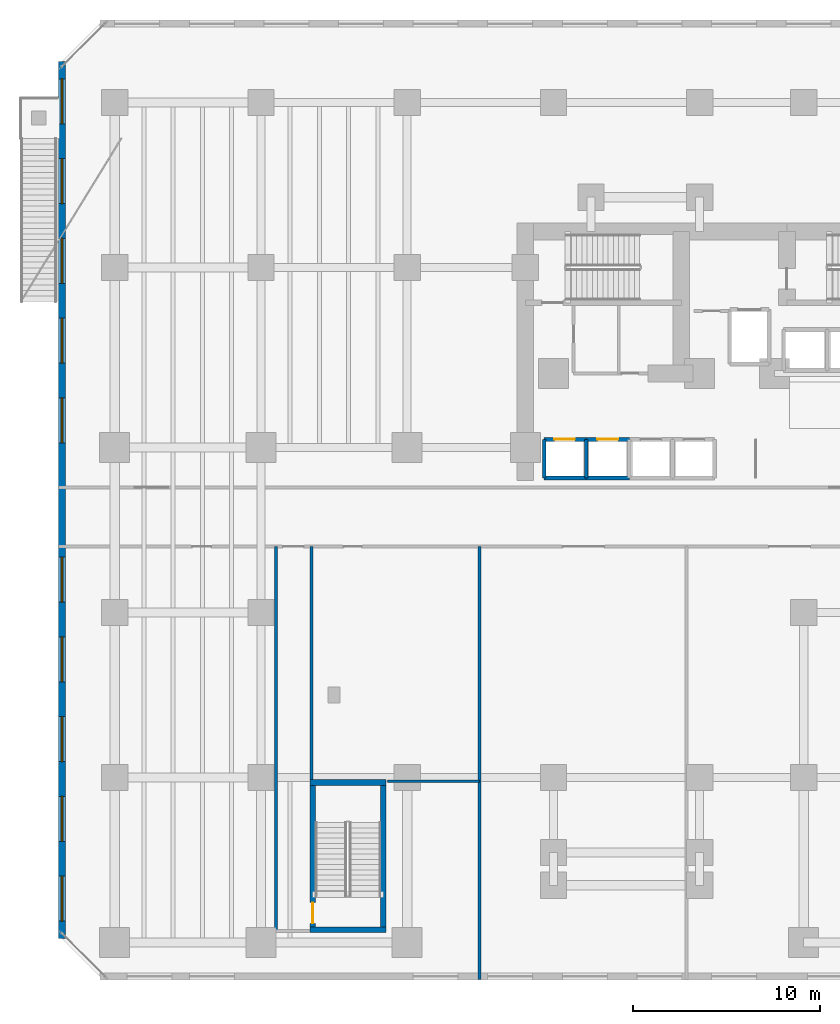
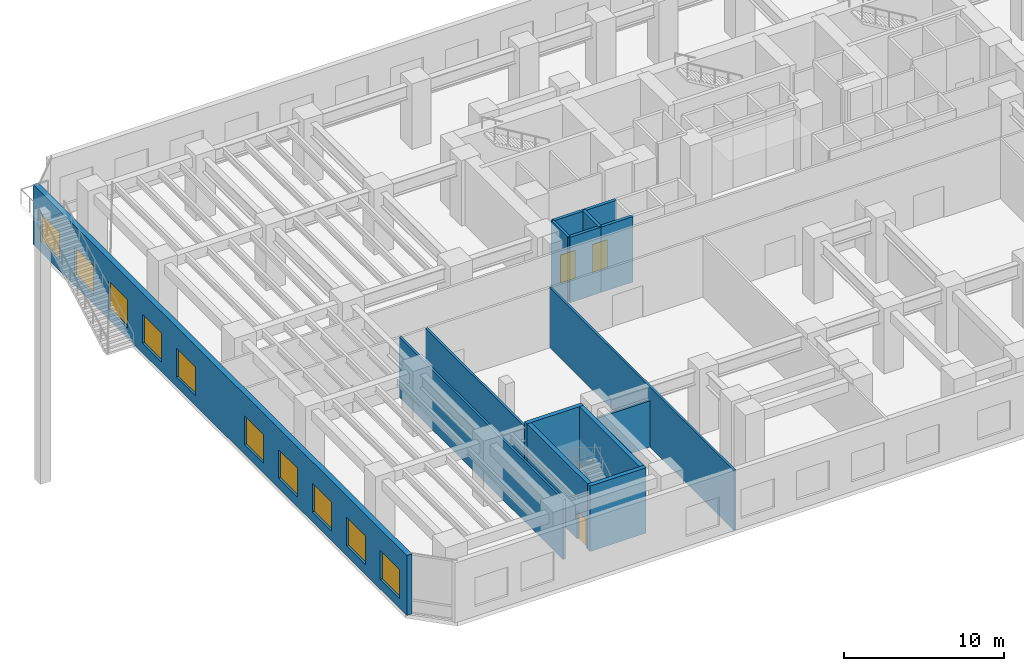
# One storey, part 10 of 20: 15 walls, 10 windows, 3 doors, 13 openings.
"""IFC4 building model written with IfcOpenShell, lengths in metres."""

from ifc_helpers import new_model, si_unit, direction, frame, frame_2d, origin, place, context, subcontext, project, spatial, rectangle, extrude, material, layer, layer_set, type_object, element, fill, save


model = new_model("IFC4")

# Units and contexts
model_context = context("Model", 3, precision=1e-05, world=origin(), true_north=direction((0.0, 1.0)))
body_context = subcontext(model_context, "Body", "Model", "MODEL_VIEW")
ifc_project = project(units=[si_unit("LENGTHUNIT", "METRE"), si_unit("AREAUNIT", "SQUARE_METRE"), si_unit("VOLUMEUNIT", "CUBIC_METRE"), si_unit("PLANEANGLEUNIT", "RADIAN"), si_unit("MASSUNIT", "GRAM", prefix="KILO")], contexts=[model_context])

# Site, building, storey
site_placement = place(None, origin())
site = spatial("IfcSite", under=ifc_project, at=site_placement, CompositionType="ELEMENT")
building_placement = place(site_placement, origin())
building = spatial("IfcBuilding", under=site, at=building_placement, Name="Kestravale Grand Hotel", CompositionType="ELEMENT")
storey_placement = place(building_placement, frame((0.0, 0.0, 15.800048828125)))
storey = spatial("IfcBuildingStorey", under=building, at=storey_placement, Name="L03", CompositionType="ELEMENT", Elevation=15.800048828125)

# Wall, openings, windows
ifc_material_1 = material(Name="Precast concrete f'c 45 MPa", Category="concrete")
ifc_layer_1 = layer(ifc_material_1, 0.3798828125)
ifc_layer_set_1 = layer_set([ifc_layer_1], Name="EW-POD-380")
wall_type_1 = type_object("IfcWallType", Name="EW-POD-380", PredefinedType="SOLIDWALL", material=ifc_layer_set_1)
wall_1_placement = place(storey_placement, frame((-2.81005859375, 49.389892578125, 0.0), z_axis=(0.0, 0.0, 1.0), x_axis=(0.0, -1.0, 0.0)))
wall_1 = element("IfcWall", 1, at=wall_1_placement, inside=storey, type_object=wall_type_1, Name="L03 fluted precast facade wall 7", PredefinedType="SOLIDWALL", context=body_context, shape_type="SweptSolid", body=[
    extrude(rectangle(XDim=46.77978515625, YDim=0.3798828125, at=frame_2d((23.389892578125, 0.0))), origin(), (0.0, 0.0, 1.0), 4.579833984375),
])
opening_1_placement = place(wall_1_placement, frame((0.926513671875, 0.0, 0.75)))
opening_1 = element("IfcOpeningElement", 2, at=opening_1_placement, cuts=wall_1, Name="Opening W-POD-2400", PredefinedType="OPENING", context=body_context, shape_type="SweptSolid", body=[
    extrude(rectangle(XDim=2.39990234375, YDim=2.199951171875, at=frame_2d((1.199951171875, 1.10009765625))), frame((0.0, 0.199951171875, 0.0), z_axis=(0.0, -1.0, 0.0), x_axis=(1.0, 0.0, 0.0)), (0.0, 0.0, 1.0), 0.39990234375),
])
opening_2_placement = place(wall_1_placement, frame((5.17919921875, 0.0, 0.75)))
opening_2 = element("IfcOpeningElement", 3, at=opening_2_placement, cuts=wall_1, Name="Opening W-POD-2400", PredefinedType="OPENING", context=body_context, shape_type="SweptSolid", body=[
    extrude(rectangle(XDim=2.39990234375, YDim=2.199951171875, at=frame_2d((1.199951171875, 1.10009765625))), frame((0.0, 0.199951171875, 0.0), z_axis=(0.0, -1.0, 0.0), x_axis=(1.0, 0.0, 0.0)), (0.0, 0.0, 1.0), 0.39990234375),
])
opening_3_placement = place(wall_1_placement, frame((9.431884765625, 0.0, 0.75)))
opening_3 = element("IfcOpeningElement", 4, at=opening_3_placement, cuts=wall_1, Name="Opening W-POD-2400", PredefinedType="OPENING", context=body_context, shape_type="SweptSolid", body=[
    extrude(rectangle(XDim=2.39990234375, YDim=2.199951171875, at=frame_2d((1.199951171875, 1.10009765625))), frame((0.0, 0.199951171875, 0.0), z_axis=(0.0, -1.0, 0.0), x_axis=(1.0, 0.0, 0.0)), (0.0, 0.0, 1.0), 0.39990234375),
])
opening_4_placement = place(wall_1_placement, frame((13.6845703125, 0.0, 0.75)))
opening_4 = element("IfcOpeningElement", 5, at=opening_4_placement, cuts=wall_1, Name="Opening W-POD-2400", PredefinedType="OPENING", context=body_context, shape_type="SweptSolid", body=[
    extrude(rectangle(XDim=2.39990234375, YDim=2.199951171875, at=frame_2d((1.199951171875, 1.10009765625))), frame((0.0, 0.199951171875, 0.0), z_axis=(0.0, -1.0, 0.0), x_axis=(1.0, 0.0, 0.0)), (0.0, 0.0, 1.0), 0.39990234375),
])
opening_5_placement = place(wall_1_placement, frame((17.937255859375, 0.0, 0.75)))
opening_5 = element("IfcOpeningElement", 6, at=opening_5_placement, cuts=wall_1, Name="Opening W-POD-2400", PredefinedType="OPENING", context=body_context, shape_type="SweptSolid", body=[
    extrude(rectangle(XDim=2.39990234375, YDim=2.199951171875, at=frame_2d((1.199951171875, 1.10009765625))), frame((0.0, 0.199951171875, 0.0), z_axis=(0.0, -1.0, 0.0), x_axis=(1.0, 0.0, 0.0)), (0.0, 0.0, 1.0), 0.39990234375),
])
opening_6_placement = place(wall_1_placement, frame((26.442626953125, 0.0, 0.75)))
opening_6 = element("IfcOpeningElement", 7, at=opening_6_placement, cuts=wall_1, Name="Opening W-POD-2400", PredefinedType="OPENING", context=body_context, shape_type="SweptSolid", body=[
    extrude(rectangle(XDim=2.39990234375, YDim=2.199951171875, at=frame_2d((1.199951171875, 1.10009765625))), frame((0.0, 0.199951171875, 0.0), z_axis=(0.0, -1.0, 0.0), x_axis=(1.0, 0.0, 0.0)), (0.0, 0.0, 1.0), 0.39990234375),
])
opening_7_placement = place(wall_1_placement, frame((30.695556640625, 0.0, 0.75)))
opening_7 = element("IfcOpeningElement", 8, at=opening_7_placement, cuts=wall_1, Name="Opening W-POD-2400", PredefinedType="OPENING", context=body_context, shape_type="SweptSolid", body=[
    extrude(rectangle(XDim=2.39990234375, YDim=2.199951171875, at=frame_2d((1.199951171875, 1.10009765625))), frame((0.0, 0.199951171875, 0.0), z_axis=(0.0, -1.0, 0.0), x_axis=(1.0, 0.0, 0.0)), (0.0, 0.0, 1.0), 0.39990234375),
])
opening_8_placement = place(wall_1_placement, frame((34.9482421875, 0.0, 0.75)))
opening_8 = element("IfcOpeningElement", 9, at=opening_8_placement, cuts=wall_1, Name="Opening W-POD-2400", PredefinedType="OPENING", context=body_context, shape_type="SweptSolid", body=[
    extrude(rectangle(XDim=2.39990234375, YDim=2.199951171875, at=frame_2d((1.199951171875, 1.10009765625))), frame((0.0, 0.199951171875, 0.0), z_axis=(0.0, -1.0, 0.0), x_axis=(1.0, 0.0, 0.0)), (0.0, 0.0, 1.0), 0.39990234375),
])
opening_9_placement = place(wall_1_placement, frame((39.200927734375, 0.0, 0.75)))
opening_9 = element("IfcOpeningElement", 10, at=opening_9_placement, cuts=wall_1, Name="Opening W-POD-2400", PredefinedType="OPENING", context=body_context, shape_type="SweptSolid", body=[
    extrude(rectangle(XDim=2.39990234375, YDim=2.199951171875, at=frame_2d((1.199951171875, 1.10009765625))), frame((0.0, 0.199951171875, 0.0), z_axis=(0.0, -1.0, 0.0), x_axis=(1.0, 0.0, 0.0)), (0.0, 0.0, 1.0), 0.39990234375),
])
opening_10_placement = place(wall_1_placement, frame((43.45361328125, 0.0, 0.75)))
opening_10 = element("IfcOpeningElement", 11, at=opening_10_placement, cuts=wall_1, Name="Opening W-POD-2400", PredefinedType="OPENING", context=body_context, shape_type="SweptSolid", body=[
    extrude(rectangle(XDim=2.39990234375, YDim=2.199951171875, at=frame_2d((1.199951171875, 1.10009765625))), frame((0.0, 0.199951171875, 0.0), z_axis=(0.0, -1.0, 0.0), x_axis=(1.0, 0.0, 0.0)), (0.0, 0.0, 1.0), 0.39990234375),
])
ifc_material_2 = material(Name="Insulated low-E double glazing in aluminium frame", Category="aluminium")
window_type = type_object("IfcWindowType", Name="W-POD-2400", PartitioningType="DOUBLE_PANEL_VERTICAL", PredefinedType="WINDOW", material=ifc_material_2)
window_1_placement = place(opening_1_placement, origin())
window_1 = element("IfcWindow", 12, at=window_1_placement, inside=storey, type_object=window_type, Name="L03 exterior window 7.1", OverallHeight=2.199951171875, OverallWidth=2.39990234375, PartitioningType="SINGLE_PANEL", PredefinedType="WINDOW", context=body_context, shape_type="SweptSolid", body=[
    extrude(rectangle(XDim=2.39990234375, YDim=2.199951171875, at=frame_2d((1.199951171875, 1.10009765625))), frame((0.0, 0.030029296875, 0.0), z_axis=(0.0, -1.0, 0.0), x_axis=(1.0, 0.0, 0.0)), (0.0, 0.0, 1.0), 0.06005859375),
])
fill(opening_1, window_1)
window_2_placement = place(opening_2_placement, origin())
window_2 = element("IfcWindow", 13, at=window_2_placement, inside=storey, type_object=window_type, Name="L03 exterior window 7.2", OverallHeight=2.199951171875, OverallWidth=2.39990234375, PartitioningType="SINGLE_PANEL", PredefinedType="WINDOW", context=body_context, shape_type="SweptSolid", body=[
    extrude(rectangle(XDim=2.39990234375, YDim=2.199951171875, at=frame_2d((1.199951171875, 1.10009765625))), frame((0.0, 0.030029296875, 0.0), z_axis=(0.0, -1.0, 0.0), x_axis=(1.0, 0.0, 0.0)), (0.0, 0.0, 1.0), 0.06005859375),
])
fill(opening_2, window_2)
window_3_placement = place(opening_3_placement, origin())
window_3 = element("IfcWindow", 14, at=window_3_placement, inside=storey, type_object=window_type, Name="L03 exterior window 7.3", OverallHeight=2.199951171875, OverallWidth=2.39990234375, PartitioningType="SINGLE_PANEL", PredefinedType="WINDOW", context=body_context, shape_type="SweptSolid", body=[
    extrude(rectangle(XDim=2.39990234375, YDim=2.199951171875, at=frame_2d((1.199951171875, 1.10009765625))), frame((0.0, 0.030029296875, 0.0), z_axis=(0.0, -1.0, 0.0), x_axis=(1.0, 0.0, 0.0)), (0.0, 0.0, 1.0), 0.06005859375),
])
fill(opening_3, window_3)
window_4_placement = place(opening_4_placement, origin())
window_4 = element("IfcWindow", 15, at=window_4_placement, inside=storey, type_object=window_type, Name="L03 exterior window 7.4", OverallHeight=2.199951171875, OverallWidth=2.39990234375, PartitioningType="SINGLE_PANEL", PredefinedType="WINDOW", context=body_context, shape_type="SweptSolid", body=[
    extrude(rectangle(XDim=2.39990234375, YDim=2.199951171875, at=frame_2d((1.199951171875, 1.10009765625))), frame((0.0, 0.030029296875, 0.0), z_axis=(0.0, -1.0, 0.0), x_axis=(1.0, 0.0, 0.0)), (0.0, 0.0, 1.0), 0.06005859375),
])
fill(opening_4, window_4)
window_5_placement = place(opening_5_placement, origin())
window_5 = element("IfcWindow", 16, at=window_5_placement, inside=storey, type_object=window_type, Name="L03 exterior window 7.5", OverallHeight=2.199951171875, OverallWidth=2.39990234375, PartitioningType="SINGLE_PANEL", PredefinedType="WINDOW", context=body_context, shape_type="SweptSolid", body=[
    extrude(rectangle(XDim=2.39990234375, YDim=2.199951171875, at=frame_2d((1.199951171875, 1.10009765625))), frame((0.0, 0.030029296875, 0.0), z_axis=(0.0, -1.0, 0.0), x_axis=(1.0, 0.0, 0.0)), (0.0, 0.0, 1.0), 0.06005859375),
])
fill(opening_5, window_5)
window_6_placement = place(opening_6_placement, origin())
window_6 = element("IfcWindow", 17, at=window_6_placement, inside=storey, type_object=window_type, Name="L03 exterior window 7.6", OverallHeight=2.199951171875, OverallWidth=2.39990234375, PartitioningType="SINGLE_PANEL", PredefinedType="WINDOW", context=body_context, shape_type="SweptSolid", body=[
    extrude(rectangle(XDim=2.39990234375, YDim=2.199951171875, at=frame_2d((1.199951171875, 1.10009765625))), frame((0.0, 0.030029296875, 0.0), z_axis=(0.0, -1.0, 0.0), x_axis=(1.0, 0.0, 0.0)), (0.0, 0.0, 1.0), 0.06005859375),
])
fill(opening_6, window_6)
window_7_placement = place(opening_7_placement, origin())
window_7 = element("IfcWindow", 18, at=window_7_placement, inside=storey, type_object=window_type, Name="L03 exterior window 7.7", OverallHeight=2.199951171875, OverallWidth=2.39990234375, PartitioningType="SINGLE_PANEL", PredefinedType="WINDOW", context=body_context, shape_type="SweptSolid", body=[
    extrude(rectangle(XDim=2.39990234375, YDim=2.199951171875, at=frame_2d((1.199951171875, 1.10009765625))), frame((0.0, 0.030029296875, 0.0), z_axis=(0.0, -1.0, 0.0), x_axis=(1.0, 0.0, 0.0)), (0.0, 0.0, 1.0), 0.06005859375),
])
fill(opening_7, window_7)
window_8_placement = place(opening_8_placement, origin())
window_8 = element("IfcWindow", 19, at=window_8_placement, inside=storey, type_object=window_type, Name="L03 exterior window 7.8", OverallHeight=2.199951171875, OverallWidth=2.39990234375, PartitioningType="SINGLE_PANEL", PredefinedType="WINDOW", context=body_context, shape_type="SweptSolid", body=[
    extrude(rectangle(XDim=2.39990234375, YDim=2.199951171875, at=frame_2d((1.199951171875, 1.10009765625))), frame((0.0, 0.030029296875, 0.0), z_axis=(0.0, -1.0, 0.0), x_axis=(1.0, 0.0, 0.0)), (0.0, 0.0, 1.0), 0.06005859375),
])
fill(opening_8, window_8)
window_9_placement = place(opening_9_placement, origin())
window_9 = element("IfcWindow", 20, at=window_9_placement, inside=storey, type_object=window_type, Name="L03 exterior window 7.9", OverallHeight=2.199951171875, OverallWidth=2.39990234375, PartitioningType="SINGLE_PANEL", PredefinedType="WINDOW", context=body_context, shape_type="SweptSolid", body=[
    extrude(rectangle(XDim=2.39990234375, YDim=2.199951171875, at=frame_2d((1.199951171875, 1.10009765625))), frame((0.0, 0.030029296875, 0.0), z_axis=(0.0, -1.0, 0.0), x_axis=(1.0, 0.0, 0.0)), (0.0, 0.0, 1.0), 0.06005859375),
])
fill(opening_9, window_9)
window_10_placement = place(opening_10_placement, origin())
window_10 = element("IfcWindow", 21, at=window_10_placement, inside=storey, type_object=window_type, Name="L03 exterior window 7.10", OverallHeight=2.199951171875, OverallWidth=2.39990234375, PartitioningType="SINGLE_PANEL", PredefinedType="WINDOW", context=body_context, shape_type="SweptSolid", body=[
    extrude(rectangle(XDim=2.39990234375, YDim=2.199951171875, at=frame_2d((1.199951171875, 1.10009765625))), frame((0.0, 0.030029296875, 0.0), z_axis=(0.0, -1.0, 0.0), x_axis=(1.0, 0.0, 0.0)), (0.0, 0.0, 1.0), 0.06005859375),
])
fill(opening_10, window_10)

# Wall, opening, door
ifc_material_3 = material(Name="Concrete f'c 45 MPa", Category="concrete")
ifc_layer_2 = layer(ifc_material_3, 0.300048828125)
ifc_layer_set_2 = layer_set([ifc_layer_2], Name="EW-STAIR-300")
wall_type_2 = type_object("IfcWallType", Name="EW-STAIR-300", PredefinedType="SHEAR", material=ifc_layer_set_2)
wall_2_placement = place(storey_placement, frame((10.56005859375, 3.070068359375, 0.0), z_axis=(0.0, 0.0, 1.0), x_axis=(0.0, 1.0, 0.0)))
wall_2 = element("IfcWall", 22, at=wall_2_placement, inside=storey, type_object=wall_type_2, Name="L03 stair enclosure shear wall ST4W", PredefinedType="SHEAR", context=body_context, shape_type="SweptSolid", body=[
    extrude(rectangle(XDim=7.85986328125, YDim=0.300048828125, at=frame_2d((3.929931640625, 0.0))), origin(), (0.0, 0.0, 1.0), 5.0),
])
opening_11_placement = place(wall_2_placement, frame((0.35009765625, 0.0, 0.0)))
opening_11 = element("IfcOpeningElement", 23, at=opening_11_placement, cuts=wall_2, Name="Opening D-ST-1100", PredefinedType="OPENING", context=body_context, shape_type="SweptSolid", body=[
    extrude(rectangle(XDim=1.10009765625, YDim=2.14990234375, at=frame_2d((0.550048828125, 1.074951171875))), frame((0.0, 0.159912109375, 0.0), z_axis=(0.0, -1.0, 0.0), x_axis=(1.0, 0.0, 0.0)), (0.0, 0.0, 1.0), 0.320068359375),
])
ifc_material_4 = material(Name="Galvanised 90-minute fire-rated steel stair door", Category="steel")
door_type_1 = type_object("IfcDoorType", Name="D-ST-1100", OperationType="NOTDEFINED", PredefinedType="DOOR", material=ifc_material_4)
door_1_placement = place(opening_11_placement, origin())
door_1 = element("IfcDoor", 24, at=door_1_placement, inside=storey, type_object=door_type_1, Name="L03 Stair ST-4 fire door", OperationType="SINGLE_SWING_LEFT", OverallHeight=2.14990234375, OverallWidth=1.10009765625, PredefinedType="DOOR", context=body_context, shape_type="SweptSolid", body=[
    extrude(rectangle(XDim=1.10009765625, YDim=2.14990234375, at=frame_2d((0.550048828125, 1.074951171875))), frame((0.0, 0.02490234375, 0.0), z_axis=(0.0, -1.0, 0.0), x_axis=(1.0, 0.0, 0.0)), (0.0, 0.0, 1.0), 0.050048828125),
])
fill(opening_11, door_1)

# Walls
wall_3_placement = place(storey_placement, frame((14.330078125, 3.070068359375, 0.0), z_axis=(0.0, 0.0, 1.0), x_axis=(0.0, 1.0, 0.0)))
element("IfcWall", 25, at=wall_3_placement, inside=storey, type_object=wall_type_2, Name="L03 stair enclosure shear wall ST4E", PredefinedType="SHEAR", context=body_context, shape_type="SweptSolid", body=[
    extrude(rectangle(XDim=7.85986328125, YDim=0.300048828125, at=frame_2d((3.929931640625, 0.0))), origin(), (0.0, 0.0, 1.0), 5.0),
])
for number, where, z_axis, x_axis, name in (
    (26, (10.409912109375, 10.929931640625, 0.0), (0.0, 0.0, 1.0), (1.0, 0.0, 0.0), "L03 stair enclosure shear wall ST4N"),
    (27, (10.409912109375, 3.070068359375, 0.0), (0.0, 0.0, 1.0), (1.0, 0.0, 0.0), "L03 stair enclosure shear wall ST4S"),
):
    element("IfcWall", number, at=place(storey_placement, frame(where, z_axis=z_axis, x_axis=x_axis)), inside=storey, type_object=wall_type_2, Name=name, PredefinedType="SHEAR", context=body_context, shape_type="SweptSolid", body=[
        extrude(rectangle(XDim=4.070068359375, YDim=0.300048828125, at=frame_2d((2.03515625, 0.0))), origin(), (0.0, 0.0, 1.0), 5.0),
    ])
ifc_material_5 = material(Name="Acoustic fire-rated gypsum board partition", Category="other")
ifc_layer_3 = layer(ifc_material_5, 0.159912109375)
ifc_layer_set_3 = layer_set([ifc_layer_3], Name="IW-CORR-160")
wall_type_3 = type_object("IfcWallType", Name="IW-CORR-160", PredefinedType="PARTITIONING", material=ifc_layer_set_3)
wall_4_placement = place(storey_placement, frame((8.60009765625, 3.0, 0.0), z_axis=(0.0, 0.0, 1.0), x_axis=(0.0, 1.0, 0.0)))
element("IfcWall", 28, at=wall_4_placement, inside=storey, type_object=wall_type_3, Name="W-L03-ST4C-W", PredefinedType="PARTITIONING", context=body_context, shape_type="SweptSolid", body=[
    extrude(rectangle(XDim=20.52001953125, YDim=0.159912109375, at=frame_2d((10.260009765625, 0.0))), origin(), (0.0, 0.0, 1.0), 4.579833984375),
])
wall_5_placement = place(storey_placement, frame((10.5, 10.949951171875, 0.0), z_axis=(0.0, 0.0, 1.0), x_axis=(0.0, 1.0, 0.0)))
element("IfcWall", 29, at=wall_5_placement, inside=storey, type_object=wall_type_3, Name="W-L03-ST4C-E", PredefinedType="PARTITIONING", context=body_context, shape_type="SweptSolid", body=[
    extrude(rectangle(XDim=12.570068359375, YDim=0.159912109375, at=frame_2d((6.28515625, 0.0))), origin(), (0.0, 0.0, 1.0), 4.579833984375),
])
ifc_material_6 = material(Name="Concrete f'c 45 MPa", Category="concrete")
ifc_layer_4 = layer(ifc_material_6, 0.199951171875)
ifc_layer_set_4 = layer_set([ifc_layer_4], Name="IW-SHAFT-200")
wall_type_4 = type_object("IfcWallType", Name="IW-SHAFT-200", PredefinedType="SHEAR", material=ifc_layer_set_4)
for number, where, z_axis, x_axis, name in (
    (30, (22.905029296875, 27.169921875, 0.0), (0.0, 0.0, 1.0), (0.0, 1.0, 0.0), "L03 PL-L1 west shaft wall"),
    (31, (25.14990234375, 27.169921875, 0.0), (0.0, 0.0, 1.0), (0.0, 1.0, 0.0), "L03 PL-L2 west shaft wall"),
):
    element("IfcWall", number, at=place(storey_placement, frame(where, z_axis=z_axis, x_axis=x_axis)), inside=storey, type_object=wall_type_4, Name=name, PredefinedType="SHEAR", context=body_context, shape_type="SweptSolid", body=[
        extrude(rectangle(XDim=2.06005859375, YDim=0.199951171875, at=frame_2d((1.030029296875, 0.0))), origin(), (0.0, 0.0, 1.0), 5.0),
    ])

# Wall, opening, door
ifc_material_7 = material(Name="Concrete f'c 45 MPa", Category="concrete")
ifc_layer_5 = layer(ifc_material_7, 0.219970703125)
ifc_layer_set_5 = layer_set([ifc_layer_5], Name="IW-SHAFT-220")
wall_type_5 = type_object("IfcWallType", Name="IW-SHAFT-220", PredefinedType="SHEAR", material=ifc_layer_set_5)
wall_6_placement = place(storey_placement, frame((22.905029296875, 29.22998046875, 0.0), z_axis=(0.0, 0.0, 1.0), x_axis=(1.0, 0.0, 0.0)))
wall_6 = element("IfcWall", 32, at=wall_6_placement, inside=storey, type_object=wall_type_5, Name="L03 PL-L1 north shaft wall", PredefinedType="SHEAR", context=body_context, shape_type="SweptSolid", body=[
    extrude(rectangle(XDim=2.244873046875, YDim=0.219970703125, at=frame_2d((1.12255859375, 0.0))), origin(), (0.0, 0.0, 1.0), 5.0),
])
opening_12_placement = place(wall_6_placement, frame((0.544921875, 0.0, 0.0)))
opening_12 = element("IfcOpeningElement", 33, at=opening_12_placement, cuts=wall_6, Name="Opening LD-PAX-1100", PredefinedType="OPENING", context=body_context, shape_type="SweptSolid", body=[
    extrude(rectangle(XDim=1.10009765625, YDim=2.14990234375, at=frame_2d((0.550048828125, 1.074951171875))), frame((0.0, 0.119873046875, 0.0), z_axis=(0.0, -1.0, 0.0), x_axis=(1.0, 0.0, 0.0)), (0.0, 0.0, 1.0), 0.239990234375),
])
ifc_material_8 = material(Name="Champagne-bronze center-opening sliding elevator landing door", Category="steel")
door_type_2 = type_object("IfcDoorType", Name="LD-PAX-1100", OperationType="NOTDEFINED", PredefinedType="DOOR", material=ifc_material_8)
door_2_placement = place(opening_12_placement, origin())
door_2 = element("IfcDoor", 34, at=door_2_placement, inside=storey, type_object=door_type_2, Name="L03 PL-L1 elevator landing sliding door", OperationType="DOUBLE_DOOR_SLIDING", OverallHeight=2.14990234375, OverallWidth=1.10009765625, PredefinedType="DOOR", context=body_context, shape_type="SweptSolid", body=[
    extrude(rectangle(XDim=1.10009765625, YDim=2.14990234375, at=frame_2d((0.550048828125, 1.074951171875))), frame((0.0, 0.02490234375, 0.0), z_axis=(0.0, -1.0, 0.0), x_axis=(1.0, 0.0, 0.0)), (0.0, 0.0, 1.0), 0.050048828125),
])
fill(opening_12, door_2)

# Wall
wall_7_placement = place(storey_placement, frame((22.905029296875, 27.169921875, 0.0), z_axis=(0.0, 0.0, 1.0), x_axis=(1.0, 0.0, 0.0)))
element("IfcWall", 35, at=wall_7_placement, inside=storey, type_object=wall_type_5, Name="L03 PL-L1 south shaft wall", PredefinedType="SHEAR", context=body_context, shape_type="SweptSolid", body=[
    extrude(rectangle(XDim=2.244873046875, YDim=0.219970703125, at=frame_2d((1.12255859375, 0.0))), origin(), (0.0, 0.0, 1.0), 5.0),
])

# Wall, opening, door
wall_8_placement = place(storey_placement, frame((25.14990234375, 29.22998046875, 0.0), z_axis=(0.0, 0.0, 1.0), x_axis=(1.0, 0.0, 0.0)))
wall_8 = element("IfcWall", 36, at=wall_8_placement, inside=storey, type_object=wall_type_5, Name="L03 PL-L2 north shaft wall", PredefinedType="SHEAR", context=body_context, shape_type="SweptSolid", body=[
    extrude(rectangle(XDim=2.300048828125, YDim=0.219970703125, at=frame_2d((1.14990234375, 0.0))), origin(), (0.0, 0.0, 1.0), 5.0),
])
opening_13_placement = place(wall_8_placement, frame((0.60009765625, 0.0, 0.0)))
opening_13 = element("IfcOpeningElement", 37, at=opening_13_placement, cuts=wall_8, Name="Opening LD-PAX-1100", PredefinedType="OPENING", context=body_context, shape_type="SweptSolid", body=[
    extrude(rectangle(XDim=1.10009765625, YDim=2.14990234375, at=frame_2d((0.550048828125, 1.074951171875))), frame((0.0, 0.119873046875, 0.0), z_axis=(0.0, -1.0, 0.0), x_axis=(1.0, 0.0, 0.0)), (0.0, 0.0, 1.0), 0.239990234375),
])
door_3_placement = place(opening_13_placement, origin())
door_3 = element("IfcDoor", 38, at=door_3_placement, inside=storey, type_object=door_type_2, Name="L03 PL-L2 elevator landing sliding door", OperationType="DOUBLE_DOOR_SLIDING", OverallHeight=2.14990234375, OverallWidth=1.10009765625, PredefinedType="DOOR", context=body_context, shape_type="SweptSolid", body=[
    extrude(rectangle(XDim=1.10009765625, YDim=2.14990234375, at=frame_2d((0.550048828125, 1.074951171875))), frame((0.0, 0.02490234375, 0.0), z_axis=(0.0, -1.0, 0.0), x_axis=(1.0, 0.0, 0.0)), (0.0, 0.0, 1.0), 0.050048828125),
])
fill(opening_13, door_3)

# Walls
wall_9_placement = place(storey_placement, frame((25.14990234375, 27.169921875, 0.0), z_axis=(0.0, 0.0, 1.0), x_axis=(1.0, 0.0, 0.0)))
element("IfcWall", 39, at=wall_9_placement, inside=storey, type_object=wall_type_5, Name="L03 PL-L2 south shaft wall", PredefinedType="SHEAR", context=body_context, shape_type="SweptSolid", body=[
    extrude(rectangle(XDim=2.300048828125, YDim=0.219970703125, at=frame_2d((1.14990234375, 0.0))), origin(), (0.0, 0.0, 1.0), 5.0),
])
ifc_material_9 = material(Name="Double-stud STC 52 acoustic demising partition", Category="other")
ifc_layer_6 = layer(ifc_material_9, 0.14990234375)
ifc_layer_set_6 = layer_set([ifc_layer_6], Name="IW-UNIT-150")
wall_type_6 = type_object("IfcWallType", Name="IW-UNIT-150", PredefinedType="PARTITIONING", material=ifc_layer_set_6)
wall_10_placement = place(storey_placement, frame((14.550048828125, 11.0, 0.0), z_axis=(0.0, 0.0, 1.0), x_axis=(1.0, 0.0, 0.0)))
element("IfcWall", 40, at=wall_10_placement, inside=storey, type_object=wall_type_6, Name="W-L03-MTG-S", PredefinedType="PARTITIONING", context=body_context, shape_type="SweptSolid", body=[
    extrude(rectangle(XDim=4.89990234375, YDim=0.14990234375, at=frame_2d((2.449951171875, 0.0))), origin(), (0.0, 0.0, 1.0), 3.5400390625),
])
wall_11_placement = place(storey_placement, frame((19.449951171875, 0.419921875, 0.0), z_axis=(0.0, 0.0, 1.0), x_axis=(0.0, 1.0, 0.0)))
element("IfcWall", 41, at=wall_11_placement, inside=storey, type_object=wall_type_6, Name="W-L03-MTG-E", PredefinedType="PARTITIONING", context=body_context, shape_type="SweptSolid", body=[
    extrude(rectangle(XDim=23.10009765625, YDim=0.14990234375, at=frame_2d((11.550048828125, 0.0))), origin(), (0.0, 0.0, 1.0), 4.579833984375),
])

save(model, "model.ifc")
